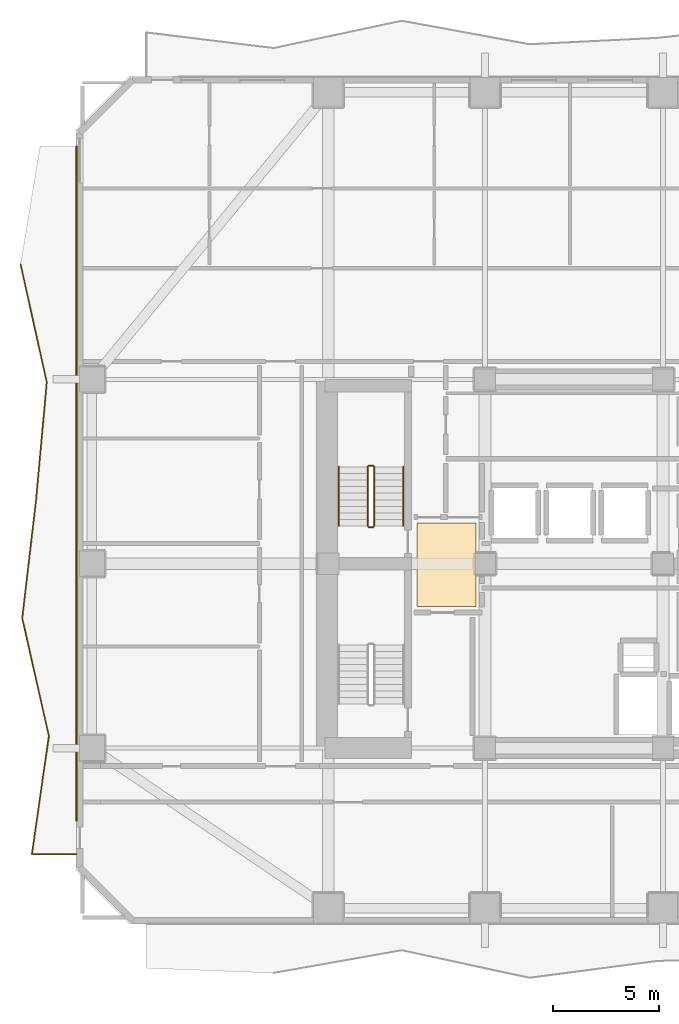
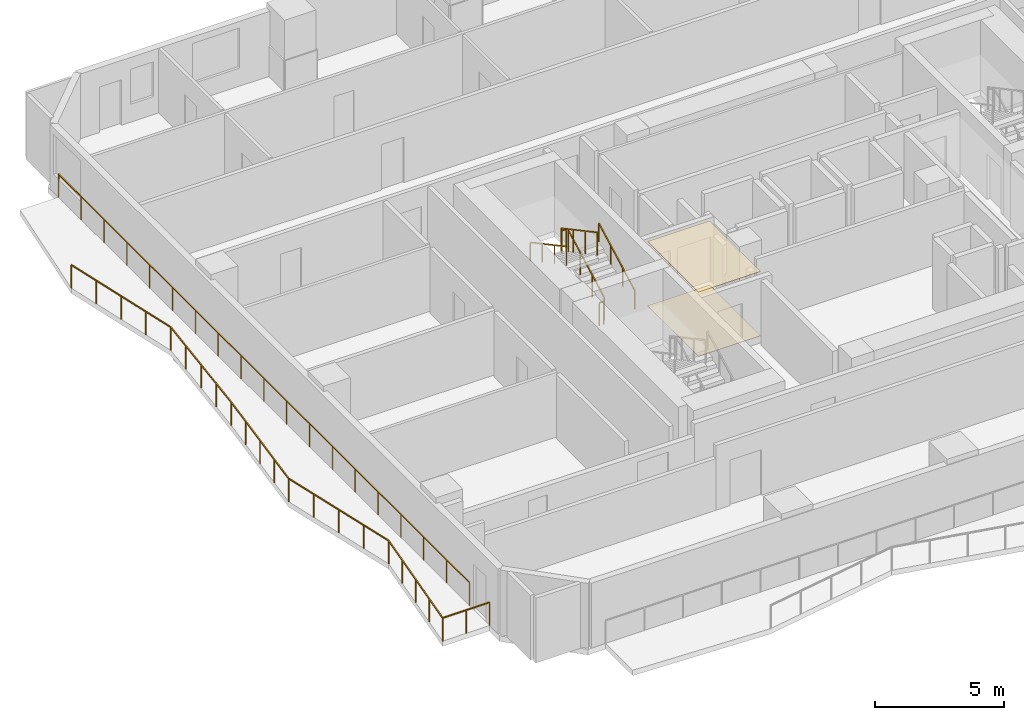
# One storey, part 8 of 10: 8 railings, 2 coverings.
"""IFC4 building model written with IfcOpenShell, lengths in metres."""

from ifc_helpers import new_model, si_unit, direction, frame, origin, origin_2d, place, context, subcontext, project, spatial, polyline, rectangle, outline, extrude, material, layer, layer_set, type_object, element, save


model = new_model("IFC4")

# Units and contexts
model_context = context("Model", 3, precision=1e-05, world=origin(), true_north=direction((0.0, 1.0)))
body_context = subcontext(model_context, "Body", "Model", "MODEL_VIEW")
ifc_project = project(units=[si_unit("LENGTHUNIT", "METRE"), si_unit("AREAUNIT", "SQUARE_METRE"), si_unit("VOLUMEUNIT", "CUBIC_METRE"), si_unit("PLANEANGLEUNIT", "RADIAN"), si_unit("MASSUNIT", "GRAM", prefix="KILO")], contexts=[model_context])

# Site, building, storey
site_placement = place(None, origin())
site = spatial("IfcSite", under=ifc_project, at=site_placement, CompositionType="ELEMENT")
building_placement = place(site_placement, origin())
building = spatial("IfcBuilding", under=site, at=building_placement, Name="Solanera Arch Residences", CompositionType="ELEMENT")
storey_placement = place(building_placement, frame((0.0, 0.0, 92.800048828125)))
storey = spatial("IfcBuildingStorey", under=building, at=storey_placement, Name="L26", CompositionType="ELEMENT", Elevation=92.800048828125)

# Railings
ifc_material_1 = material(Name="Steel S355 (ASTM A992 / A572 Grade 50)", Category="steel")
railing_type_1 = type_object("IfcRailingType", Name="Balustrade Railing BL-1100", PredefinedType="BALUSTRADE", material=ifc_material_1)
railing_1_placement = place(storey_placement, frame((-1.123046875, 44.8330078125, 0.0)))
element("IfcRailing", 1, at=railing_1_placement, inside=storey, type_object=railing_type_1, Name="L26 W Balcony Balustrade 1", PredefinedType="BALUSTRADE", context=body_context, shape_type="SweptSolid", body=[
    extrude(rectangle(XDim=0.048095703125, YDim=0.048095703125, at=origin_2d()), frame((0.0, 0.0, 1.09619140625), z_axis=(0.216635732856, -0.976252507935, 0.0), x_axis=(0.976252507935, 0.216635732856, 0.0)), (0.0, 0.0, 1.0), 5.701416015625),
    extrude(rectangle(XDim=0.048095703125, YDim=0.048095703125, at=origin_2d()), frame((1.235107421875, -5.56591796875, 1.09619140625), z_axis=(-0.090535746043, -0.995893206468, 0.0), x_axis=(0.995893206468, -0.090535746043, 0.0)), (0.0, 0.0, 1.0), 5.590087890625),
    extrude(rectangle(XDim=0.048095703125, YDim=0.048095703125, at=origin_2d()), frame((0.72900390625, -11.133056640625, 1.09619140625), z_axis=(-0.116128513588, -0.993234196115, 0.0), x_axis=(0.993234196115, -0.116128513588, 0.0)), (0.0, 0.0, 1.0), 5.604736328125),
    extrude(rectangle(XDim=0.048095703125, YDim=0.048095703125, at=origin_2d()), frame((0.078125, -16.699951171875, 1.09619140625), z_axis=(0.2202543055, -0.975442484675, 0.0), x_axis=(0.975442484675, 0.2202543055, 0.0)), (0.0, 0.0, 1.0), 5.706298828125),
    extrude(rectangle(XDim=0.048095703125, YDim=0.048095703125, at=origin_2d()), frame((1.3349609375, -22.26611328125, 1.09619140625), z_axis=(-0.14221137439, -0.989836312222, 0.0), x_axis=(0.989836312222, -0.14221137439, 0.0)), (0.0, 0.0, 1.0), 5.6240234375),
    extrude(rectangle(XDim=0.048095703125, YDim=0.048095703125, at=origin_2d()), frame((0.53515625, -27.8330078125, 1.09619140625), z_axis=(1.0, 0.0, 0.0), x_axis=(0.0, 1.0, 0.0)), (0.0, 0.0, 1.0), 2.10791015625),
    extrude(rectangle(XDim=0.0419921875, YDim=0.0419921875, at=origin_2d()), origin(), (0.0, 0.0, 1.0), 1.072021484375),
    extrude(rectangle(XDim=0.0419921875, YDim=0.0419921875, at=origin_2d()), frame((0.308837890625, -1.3916015625, 0.0)), (0.0, 0.0, 1.0), 1.072021484375),
    extrude(rectangle(XDim=0.0419921875, YDim=0.0419921875, at=origin_2d()), frame((0.61767578125, -2.782958984375, 0.0)), (0.0, 0.0, 1.0), 1.072021484375),
    extrude(rectangle(XDim=0.0419921875, YDim=0.0419921875, at=origin_2d()), frame((0.92626953125, -4.17431640625, 0.0)), (0.0, 0.0, 1.0), 1.072021484375),
    extrude(rectangle(XDim=0.0419921875, YDim=0.0419921875, at=origin_2d()), frame((1.235107421875, -5.56591796875, 0.0)), (0.0, 0.0, 1.0), 1.072021484375),
    extrude(rectangle(XDim=0.0419921875, YDim=0.0419921875, at=origin_2d()), frame((1.108642578125, -6.957763671875, 0.0)), (0.0, 0.0, 1.0), 1.072021484375),
    extrude(rectangle(XDim=0.0419921875, YDim=0.0419921875, at=origin_2d()), frame((0.98193359375, -8.349609375, 0.0)), (0.0, 0.0, 1.0), 1.072021484375),
    extrude(rectangle(XDim=0.0419921875, YDim=0.0419921875, at=origin_2d()), frame((0.85546875, -9.7412109375, 0.0)), (0.0, 0.0, 1.0), 1.072021484375),
    extrude(rectangle(XDim=0.0419921875, YDim=0.0419921875, at=origin_2d()), frame((0.72900390625, -11.133056640625, 0.0)), (0.0, 0.0, 1.0), 1.072021484375),
    extrude(rectangle(XDim=0.0419921875, YDim=0.0419921875, at=origin_2d()), frame((0.56640625, -12.52490234375, 0.0)), (0.0, 0.0, 1.0), 1.072021484375),
    extrude(rectangle(XDim=0.0419921875, YDim=0.0419921875, at=origin_2d()), frame((0.403564453125, -13.91650390625, 0.0)), (0.0, 0.0, 1.0), 1.072021484375),
    extrude(rectangle(XDim=0.0419921875, YDim=0.0419921875, at=origin_2d()), frame((0.24072265625, -15.30810546875, 0.0)), (0.0, 0.0, 1.0), 1.072021484375),
    extrude(rectangle(XDim=0.0419921875, YDim=0.0419921875, at=origin_2d()), frame((0.078125, -16.699951171875, 0.0)), (0.0, 0.0, 1.0), 1.072021484375),
    extrude(rectangle(XDim=0.0419921875, YDim=0.0419921875, at=origin_2d()), frame((0.392333984375, -18.091552734375, 0.0)), (0.0, 0.0, 1.0), 1.072021484375),
    extrude(rectangle(XDim=0.0419921875, YDim=0.0419921875, at=origin_2d()), frame((0.70654296875, -19.48291015625, 0.0)), (0.0, 0.0, 1.0), 1.072021484375),
    extrude(rectangle(XDim=0.0419921875, YDim=0.0419921875, at=origin_2d()), frame((1.020751953125, -20.87451171875, 0.0)), (0.0, 0.0, 1.0), 1.072021484375),
    extrude(rectangle(XDim=0.0419921875, YDim=0.0419921875, at=origin_2d()), frame((1.3349609375, -22.26611328125, 0.0)), (0.0, 0.0, 1.0), 1.072021484375),
    extrude(rectangle(XDim=0.0419921875, YDim=0.0419921875, at=origin_2d()), frame((1.135009765625, -23.65771484375, 0.0)), (0.0, 0.0, 1.0), 1.072021484375),
    extrude(rectangle(XDim=0.0419921875, YDim=0.0419921875, at=origin_2d()), frame((0.93505859375, -25.049560546875, 0.0)), (0.0, 0.0, 1.0), 1.072021484375),
    extrude(rectangle(XDim=0.0419921875, YDim=0.0419921875, at=origin_2d()), frame((0.735107421875, -26.44140625, 0.0)), (0.0, 0.0, 1.0), 1.072021484375),
    extrude(rectangle(XDim=0.0419921875, YDim=0.0419921875, at=origin_2d()), frame((0.53515625, -27.8330078125, 0.0)), (0.0, 0.0, 1.0), 1.072021484375),
    extrude(rectangle(XDim=0.0419921875, YDim=0.0419921875, at=origin_2d()), frame((1.589111328125, -27.8330078125, 0.0)), (0.0, 0.0, 1.0), 1.072021484375),
    extrude(rectangle(XDim=0.0419921875, YDim=0.0419921875, at=origin_2d()), frame((2.64306640625, -27.8330078125, 0.0)), (0.0, 0.0, 1.0), 1.072021484375),
])
railing_2_placement = place(storey_placement, frame((1.52001953125, 18.56591796875, 0.0)))
element("IfcRailing", 2, at=railing_2_placement, inside=storey, type_object=railing_type_1, Name="L26 W Balcony Balustrade 2", PredefinedType="BALUSTRADE", context=body_context, shape_type="SweptSolid", body=[
    extrude(rectangle(XDim=0.048095703125, YDim=0.048095703125, at=origin_2d()), frame((0.0, 0.0, 1.09619140625), z_axis=(0.0, 1.0, 0.0), x_axis=(-1.0, 0.0, 0.0)), (0.0, 0.0, 1.0), 31.833984375),
    extrude(rectangle(XDim=0.0419921875, YDim=0.0419921875, at=origin_2d()), origin(), (0.0, 0.0, 1.0), 1.072021484375),
    extrude(rectangle(XDim=0.0419921875, YDim=0.0419921875, at=origin_2d()), frame((0.0, 1.7685546875, 0.0)), (0.0, 0.0, 1.0), 1.072021484375),
    extrude(rectangle(XDim=0.0419921875, YDim=0.0419921875, at=origin_2d()), frame((0.0, 3.537109375, 0.0)), (0.0, 0.0, 1.0), 1.072021484375),
    extrude(rectangle(XDim=0.0419921875, YDim=0.0419921875, at=origin_2d()), frame((0.0, 5.3056640625, 0.0)), (0.0, 0.0, 1.0), 1.072021484375),
    extrude(rectangle(XDim=0.0419921875, YDim=0.0419921875, at=origin_2d()), frame((0.0, 7.07421875, 0.0)), (0.0, 0.0, 1.0), 1.072021484375),
    extrude(rectangle(XDim=0.0419921875, YDim=0.0419921875, at=origin_2d()), frame((0.0, 8.8427734375, 0.0)), (0.0, 0.0, 1.0), 1.072021484375),
    extrude(rectangle(XDim=0.0419921875, YDim=0.0419921875, at=origin_2d()), frame((0.0, 10.611328125, 0.0)), (0.0, 0.0, 1.0), 1.072021484375),
    extrude(rectangle(XDim=0.0419921875, YDim=0.0419921875, at=origin_2d()), frame((0.0, 12.3798828125, 0.0)), (0.0, 0.0, 1.0), 1.072021484375),
    extrude(rectangle(XDim=0.0419921875, YDim=0.0419921875, at=origin_2d()), frame((0.0, 14.1484375, 0.0)), (0.0, 0.0, 1.0), 1.072021484375),
    extrude(rectangle(XDim=0.0419921875, YDim=0.0419921875, at=origin_2d()), frame((0.0, 15.9169921875, 0.0)), (0.0, 0.0, 1.0), 1.072021484375),
    extrude(rectangle(XDim=0.0419921875, YDim=0.0419921875, at=origin_2d()), frame((0.0, 17.685546875, 0.0)), (0.0, 0.0, 1.0), 1.072021484375),
    extrude(rectangle(XDim=0.0419921875, YDim=0.0419921875, at=origin_2d()), frame((0.0, 19.4541015625, 0.0)), (0.0, 0.0, 1.0), 1.072021484375),
    extrude(rectangle(XDim=0.0419921875, YDim=0.0419921875, at=origin_2d()), frame((0.0, 21.22265625, 0.0)), (0.0, 0.0, 1.0), 1.072021484375),
    extrude(rectangle(XDim=0.0419921875, YDim=0.0419921875, at=origin_2d()), frame((0.0, 22.9912109375, 0.0)), (0.0, 0.0, 1.0), 1.072021484375),
    extrude(rectangle(XDim=0.0419921875, YDim=0.0419921875, at=origin_2d()), frame((0.0, 24.759765625, 0.0)), (0.0, 0.0, 1.0), 1.072021484375),
    extrude(rectangle(XDim=0.0419921875, YDim=0.0419921875, at=origin_2d()), frame((0.0, 26.5283203125, 0.0)), (0.0, 0.0, 1.0), 1.072021484375),
    extrude(rectangle(XDim=0.0419921875, YDim=0.0419921875, at=origin_2d()), frame((0.0, 28.296875, 0.0)), (0.0, 0.0, 1.0), 1.072021484375),
    extrude(rectangle(XDim=0.0419921875, YDim=0.0419921875, at=origin_2d()), frame((0.0, 30.0654296875, 0.0)), (0.0, 0.0, 1.0), 1.072021484375),
    extrude(rectangle(XDim=0.0419921875, YDim=0.0419921875, at=origin_2d()), frame((0.0, 31.833984375, 0.0)), (0.0, 0.0, 1.0), 1.072021484375),
])

# Covering
ifc_material_2 = material(Name="Porcelain Acoustic Floor Tile", Category="ceramic")
ifc_layer_1 = layer(ifc_material_2, 0.02001953125)
ifc_layer_set_1 = layer_set([ifc_layer_1], Name="Porcelain Acoustic Floor Tile")
covering_type_1 = type_object("IfcCoveringType", Name="Porcelain Acoustic Floor Finish FLR-20", PredefinedType="FLOORING", material=ifc_layer_set_1)
covering_1_placement = place(storey_placement, origin())
element("IfcCovering", 3, at=covering_1_placement, inside=storey, type_object=covering_type_1, Name="L26-FFL-W Porcelain Floor Finish", PredefinedType="FLOORING", context=body_context, shape_type="SweptSolid", body=[
    extrude(outline(polyline([(20.375, 28.675048828125), (17.594970703125, 28.675048828125), (17.594970703125, 32.625), (20.375, 32.625), (20.375, 28.675048828125)])), origin(), (0.0, 0.0, 1.0), 0.02001953125),
])

# Railings
ifc_material_3 = material(Name="Steel S355 (ASTM A992 / A572 Grade 50)", Category="steel")
railing_type_2 = type_object("IfcRailingType", Name="Stair Guardrail GR-1100", PredefinedType="GUARDRAIL", material=ifc_material_3)
railing_3_placement = place(storey_placement, frame((15.570068359375, 32.47998046875, 0.15087890625)))
element("IfcRailing", 4, at=railing_3_placement, inside=storey, type_object=railing_type_2, Name="L26 ST-T1 stair guard 1", PredefinedType="GUARDRAIL", context=body_context, shape_type="SweptSolid", body=[
    extrude(rectangle(XDim=0.048095703125, YDim=0.048095703125, at=origin_2d()), frame((0.0, 0.0, 1.076171875), z_axis=(0.0, 0.881548766853, 0.472092969298), x_axis=(-1.0, 0.0, 0.0)), (0.0, 0.0, 1.0), 3.1650390625),
    extrude(rectangle(XDim=0.0419921875, YDim=0.0419921875, at=origin_2d()), origin(), (0.0, 0.0, 1.0), 1.052001953125),
    extrude(rectangle(XDim=0.0419921875, YDim=0.0419921875, at=origin_2d()), frame((0.0, 0.929931640625, 0.498046875)), (0.0, 0.0, 1.0), 1.052001953125),
    extrude(rectangle(XDim=0.0419921875, YDim=0.0419921875, at=origin_2d()), frame((0.0, 1.860107421875, 0.99609375)), (0.0, 0.0, 1.0), 1.052001953125),
    extrude(rectangle(XDim=0.0419921875, YDim=0.0419921875, at=origin_2d()), frame((0.0, 2.7900390625, 1.494140625)), (0.0, 0.0, 1.0), 1.052001953125),
])
railing_4_placement = place(storey_placement, frame((15.52001953125, 35.320068359375, 1.64501953125)))
element("IfcRailing", 5, at=railing_4_placement, inside=storey, type_object=railing_type_2, Name="L26 ST-T1 stair guard 2", PredefinedType="GUARDRAIL", context=body_context, shape_type="SweptSolid", body=[
    extrude(rectangle(XDim=0.048095703125, YDim=0.048095703125, at=origin_2d()), frame((0.0, 0.0, 1.076171875), z_axis=(-1.0, 0.0, 0.0), x_axis=(0.0, -1.0, 0.0)), (0.0, 0.0, 1.0), 0.199951171875),
    extrude(rectangle(XDim=0.0419921875, YDim=0.0419921875, at=origin_2d()), origin(), (0.0, 0.0, 1.0), 1.052001953125),
    extrude(rectangle(XDim=0.0419921875, YDim=0.0419921875, at=origin_2d()), frame((-0.199951171875, 0.0, 0.0)), (0.0, 0.0, 1.0), 1.052001953125),
])
railing_5_placement = place(storey_placement, frame((15.27001953125, 35.27001953125, 1.81103515625)))
element("IfcRailing", 6, at=railing_5_placement, inside=storey, type_object=railing_type_2, Name="L26 ST-T1 stair guard 3", PredefinedType="GUARDRAIL", context=body_context, shape_type="SweptSolid", body=[
    extrude(rectangle(XDim=0.048095703125, YDim=0.048095703125, at=origin_2d()), frame((0.0, 0.0, 1.076171875), z_axis=(0.0, -0.881580869306, 0.472033018838), x_axis=(1.0, 0.0, 0.0)), (0.0, 0.0, 1.0), 3.164794921875),
    extrude(rectangle(XDim=0.0419921875, YDim=0.0419921875, at=origin_2d()), origin(), (0.0, 0.0, 1.0), 1.052001953125),
    extrude(rectangle(XDim=0.0419921875, YDim=0.0419921875, at=origin_2d()), frame((0.0, -0.929931640625, 0.498046875)), (0.0, 0.0, 1.0), 1.052001953125),
    extrude(rectangle(XDim=0.0419921875, YDim=0.0419921875, at=origin_2d()), frame((0.0, -1.860107421875, 0.995849609375)), (0.0, 0.0, 1.0), 1.052001953125),
    extrude(rectangle(XDim=0.0419921875, YDim=0.0419921875, at=origin_2d()), frame((0.0, -2.7900390625, 1.493896484375)), (0.0, 0.0, 1.0), 1.052001953125),
])
railing_6_placement = place(storey_placement, frame((15.52001953125, 32.429931640625, -0.01513671875)))
element("IfcRailing", 7, at=railing_6_placement, inside=storey, type_object=railing_type_2, Name="L26 ST-T1 stair guard 4", PredefinedType="GUARDRAIL", context=body_context, shape_type="SweptSolid", body=[
    extrude(rectangle(XDim=0.048095703125, YDim=0.048095703125, at=origin_2d()), frame((0.0, 0.0, 1.076171875), z_axis=(-1.0, 0.0, 0.0), x_axis=(0.0, -1.0, 0.0)), (0.0, 0.0, 1.0), 0.199951171875),
    extrude(rectangle(XDim=0.0419921875, YDim=0.0419921875, at=origin_2d()), origin(), (0.0, 0.0, 1.0), 1.052001953125),
    extrude(rectangle(XDim=0.0419921875, YDim=0.0419921875, at=origin_2d()), frame((-0.199951171875, 0.0, 0.0)), (0.0, 0.0, 1.0), 1.052001953125),
])
ifc_material_4 = material(Name="Steel S355 (ASTM A992 / A572 Grade 50)", Category="steel")
railing_type_3 = type_object("IfcRailingType", Name="Stair Wall Handrail HR-920", PredefinedType="HANDRAIL", material=ifc_material_4)
railing_7_placement = place(storey_placement, frame((16.949951171875, 32.47998046875, 0.166015625)))
element("IfcRailing", 8, at=railing_7_placement, inside=storey, type_object=railing_type_3, Name="L26 ST-T1 stair handrail 1", PredefinedType="HANDRAIL", context=body_context, shape_type="SweptSolid", body=[
    extrude(rectangle(XDim=0.048095703125, YDim=0.048095703125, at=origin_2d()), frame((0.0, 0.0, 0.8759765625), z_axis=(0.0, 0.881580869306, 0.472033018838), x_axis=(-1.0, 0.0, 0.0)), (0.0, 0.0, 1.0), 3.164794921875),
    extrude(rectangle(XDim=0.0419921875, YDim=0.0419921875, at=origin_2d()), origin(), (0.0, 0.0, 1.0), 0.851806640625),
    extrude(rectangle(XDim=0.0419921875, YDim=0.0419921875, at=origin_2d()), frame((0.0, 0.929931640625, 0.498046875)), (0.0, 0.0, 1.0), 0.851806640625),
    extrude(rectangle(XDim=0.0419921875, YDim=0.0419921875, at=origin_2d()), frame((0.0, 1.860107421875, 0.995849609375)), (0.0, 0.0, 1.0), 0.851806640625),
    extrude(rectangle(XDim=0.0419921875, YDim=0.0419921875, at=origin_2d()), frame((0.0, 2.7900390625, 1.493896484375)), (0.0, 0.0, 1.0), 0.851806640625),
])
railing_8_placement = place(storey_placement, frame((13.889892578125, 35.27001953125, 1.825927734375)))
element("IfcRailing", 9, at=railing_8_placement, inside=storey, type_object=railing_type_3, Name="L26 ST-T1 stair handrail 2", PredefinedType="HANDRAIL", context=body_context, shape_type="SweptSolid", body=[
    extrude(rectangle(XDim=0.048095703125, YDim=0.048095703125, at=origin_2d()), frame((0.0, 0.0, 0.8759765625), z_axis=(0.0, -0.881548766853, 0.472092969298), x_axis=(1.0, 0.0, 0.0)), (0.0, 0.0, 1.0), 3.1650390625),
    extrude(rectangle(XDim=0.0419921875, YDim=0.0419921875, at=origin_2d()), origin(), (0.0, 0.0, 1.0), 0.851806640625),
    extrude(rectangle(XDim=0.0419921875, YDim=0.0419921875, at=origin_2d()), frame((0.0, -0.929931640625, 0.498046875)), (0.0, 0.0, 1.0), 0.851806640625),
    extrude(rectangle(XDim=0.0419921875, YDim=0.0419921875, at=origin_2d()), frame((0.0, -1.860107421875, 0.99609375)), (0.0, 0.0, 1.0), 0.851806640625),
    extrude(rectangle(XDim=0.0419921875, YDim=0.0419921875, at=origin_2d()), frame((0.0, -2.7900390625, 1.494140625)), (0.0, 0.0, 1.0), 0.851806640625),
])

# Covering
ifc_material_5 = material(Name="Mineral Fibre Acoustic Ceiling Board", Category="gypsum")
ifc_layer_2 = layer(ifc_material_5, 0.02490234375)
ifc_layer_set_2 = layer_set([ifc_layer_2], Name="Mineral Fibre Acoustic Ceiling Board")
covering_type_2 = type_object("IfcCoveringType", Name="Suspended Acoustic Ceiling Board CLG-25", PredefinedType="CEILING", material=ifc_layer_set_2)
covering_2_placement = place(storey_placement, frame((0.0, 0.0, 3.034912109375)))
element("IfcCovering", 10, at=covering_2_placement, inside=storey, type_object=covering_type_2, Name="L26-FFL-W Acoustic Ceiling", PredefinedType="CEILING", context=body_context, shape_type="SweptSolid", body=[
    extrude(outline(polyline([(20.375, 28.675048828125), (17.594970703125, 28.675048828125), (17.594970703125, 32.625), (20.375, 32.625), (20.375, 28.675048828125)])), origin(), (0.0, 0.0, 1.0), 0.025146484375),
])

save(model, "model.ifc")
